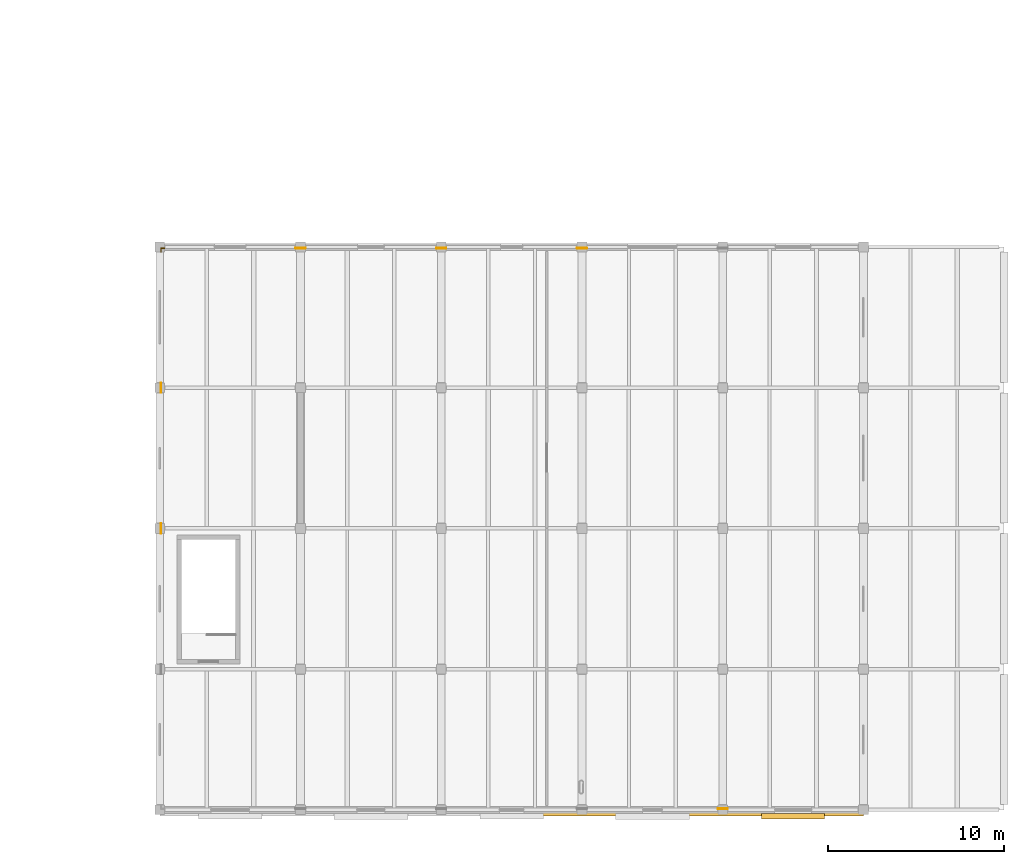
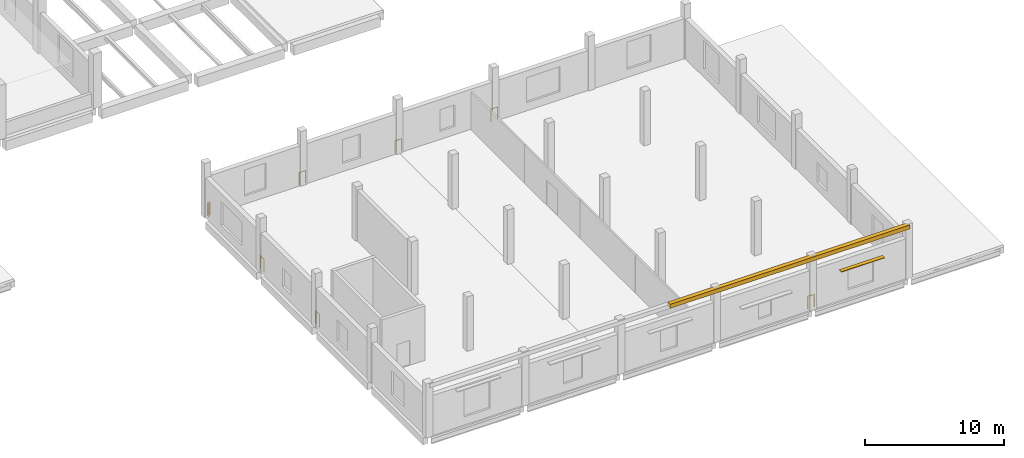
# One storey, part 50 of 52: 7 railings, 1 covering, 1 shading device.
"""IFC4 building model written with IfcOpenShell, lengths in metres."""

import ifcopenshell
import ifcopenshell.guid

model = None  # the IFC model being written
_history = None  # IfcOwnerHistory: only IFC2X3 demands one
_inside = {}  # id of a spatial element -> (the spatial element, [elements in it])
_under = {}  # id of a project, library or spatial element -> (it, [spatial elements below it])
_declared = {}  # id of a project -> (the project, [libraries it declares])
_typed = {}  # id of a type object -> (the type object, [elements of that type])
_made_of = {}  # id of a material, layer set ... -> (it, [elements and type objects made of it])


def new_model(schema):
    """Start an empty IFC model of exactly this schema.

    Asked for "IFC4X3", IfcOpenShell would pick the latest addendum, in which some entities
    have other attributes; the version numbers below select the first issue.
    IFC2X3 requires an IfcOwnerHistory on every rooted entity: one is made here for all.
    """
    global model, _history
    if schema == "IFC4X3":
        model = ifcopenshell.file(schema_version=(4, 3, 0, 0))
    else:
        model = ifcopenshell.file(schema=schema)
    _inside.clear()
    _under.clear()
    _declared.clear()
    _typed.clear()
    _made_of.clear()
    _history = None
    if model.schema == "IFC2X3":
        org = make("IfcOrganization", Name="unknown")
        user = make(
            "IfcPersonAndOrganization",
            ThePerson=make("IfcPerson", FamilyName="unknown"),
            TheOrganization=org,
        )
        app = make(
            "IfcApplication",
            ApplicationDeveloper=org,
            Version="unknown",
            ApplicationFullName="unknown",
            ApplicationIdentifier="unknown",
        )
        _history = make(
            "IfcOwnerHistory",
            OwningUser=user,
            OwningApplication=app,
            ChangeAction="ADDED",
            CreationDate=0,
        )
    return model


def make(cls, **values):
    """One entity of the class cls with the attributes given. An attribute that is None is left unset."""
    return model.create_entity(
        cls, **{name: value for name, value in values.items() if value is not None}
    )


def rooted(cls, **values):
    """An entity with a GlobalId (a new one), such as an element, a storey or a relation."""
    return make(cls, GlobalId=ifcopenshell.guid.new(), OwnerHistory=_history, **values)


def si_unit(unit_type, name, prefix=None):
    """IfcSIUnit, for example si_unit("LENGTHUNIT", "METRE", prefix="MILLI")."""
    return make("IfcSIUnit", UnitType=unit_type, Prefix=prefix, Name=name)


def assignment(units):
    """IfcUnitAssignment: the units of a project."""
    return None if units is None else make("IfcUnitAssignment", Units=units)


def point(xyz):
    """IfcCartesianPoint."""
    return None if xyz is None else make("IfcCartesianPoint", Coordinates=xyz)


def direction(xyz):
    """IfcDirection."""
    return None if xyz is None else make("IfcDirection", DirectionRatios=xyz)


def frame(location, z_axis=None, x_axis=None):
    """IfcAxis2Placement3D, a coordinate frame: its origin and axes. An axis left out is left unset."""
    return make(
        "IfcAxis2Placement3D",
        Location=point(location),
        Axis=direction(z_axis),
        RefDirection=direction(x_axis),
    )


def frame_2d(location, x_axis=None):
    """IfcAxis2Placement2D, a coordinate frame in the plane: its origin and x axis."""
    return make(
        "IfcAxis2Placement2D", Location=point(location), RefDirection=direction(x_axis)
    )


def origin():
    """The frame at (0, 0, 0) with its axes left unset."""
    return frame((0.0, 0.0, 0.0))


def origin_2d():
    """The frame at (0, 0) in the plane with its x axis left unset."""
    return frame_2d((0.0, 0.0))


def place(relative_to, where):
    """IfcLocalPlacement: puts the frame where relative to a parent placement (None: the world)."""
    return make(
        "IfcLocalPlacement", PlacementRelTo=relative_to, RelativePlacement=where
    )


def context(
    kind, dimensions, precision=None, world=None, true_north=None, identifier=None
):
    """IfcGeometricRepresentationContext, for example the 3D "Model" context."""
    return make(
        "IfcGeometricRepresentationContext",
        ContextIdentifier=identifier,
        ContextType=kind,
        CoordinateSpaceDimension=dimensions,
        Precision=precision,
        WorldCoordinateSystem=world,
        TrueNorth=true_north,
    )


def subcontext(parent, identifier, kind, view, scale=None):
    """IfcGeometricRepresentationSubContext, for example "Body" below "Model"."""
    return make(
        "IfcGeometricRepresentationSubContext",
        ContextIdentifier=identifier,
        ContextType=kind,
        ParentContext=parent,
        TargetScale=scale,
        TargetView=view,
    )


def project(units=None, contexts=None):
    """IfcProject with its units and contexts."""
    return rooted(
        "IfcProject",
        Name="project",
        RepresentationContexts=contexts,
        UnitsInContext=assignment(units),
    )


def spatial(cls, under=None, at=None, **own):
    """A site, building, storey or space (cls), placed at a placement, below another one or the project."""
    s = rooted(cls, ObjectPlacement=at, **own)
    if under is not None:
        _under.setdefault(under.id(), (under, []))[1].append(s)
    return s


def polyline(points):
    """IfcPolyline through the points."""
    return make("IfcPolyline", Points=[point(p) for p in points])


def profile(cls, at=None, kind="AREA", **sizes):
    """A parametric profile (cls). Its sizes go by their IFC names, for example OverallWidth=200.0."""
    return make(cls, ProfileType=kind, Position=at, **sizes)


def rectangle(**sizes):
    """IfcRectangleProfileDef."""
    return profile("IfcRectangleProfileDef", **sizes)


def circle(**sizes):
    """IfcCircleProfileDef."""
    return profile("IfcCircleProfileDef", **sizes)


def outline(outer, holes=None, kind="AREA"):
    """IfcArbitraryClosedProfileDef: a profile drawn as a closed curve; with holes, ...WithVoids."""
    if holes is None:
        return make("IfcArbitraryClosedProfileDef", ProfileType=kind, OuterCurve=outer)
    return make(
        "IfcArbitraryProfileDefWithVoids",
        ProfileType=kind,
        OuterCurve=outer,
        InnerCurves=holes,
    )


def extrude(swept, where, along, depth):
    """IfcExtrudedAreaSolid: the profile swept, set in the frame where, extruded along a direction by depth."""
    return make(
        "IfcExtrudedAreaSolid",
        SweptArea=swept,
        Position=where,
        ExtrudedDirection=direction(along),
        Depth=depth,
    )


def shape(context_of_items, identifier, shape_type, items):
    """IfcShapeRepresentation: the items that make up one representation, for example the "Body"."""
    return make(
        "IfcShapeRepresentation",
        ContextOfItems=context_of_items,
        RepresentationIdentifier=identifier,
        RepresentationType=shape_type,
        Items=items,
    )


def material(Name=None, Category=None):
    """IfcMaterial."""
    return make("IfcMaterial", Name=Name, Category=Category)


def layer(
    of_material, thickness, ventilated=None, Name=None, Category=None, Priority=None
):
    """IfcMaterialLayer: one layer of a wall or slab, of a material (None: an air gap)."""
    return make(
        "IfcMaterialLayer",
        Material=of_material,
        LayerThickness=thickness,
        IsVentilated=ventilated,
        Name=Name,
        Category=Category,
        Priority=Priority,
    )


def layer_set(layers, Name=None):
    """IfcMaterialLayerSet."""
    return make("IfcMaterialLayerSet", MaterialLayers=layers, LayerSetName=Name)


def made_of(thing, what):
    """Note that an element or type object is made of a material, layer set ...; save() writes the relation."""
    if what is not None:
        _made_of.setdefault(what.id(), (what, []))[1].append(thing)
    return thing


def type_object(cls, material=None, **own):
    """A type object (cls), such as IfcWallType, which elements share."""
    return made_of(rooted(cls, **own), material)


def element(
    cls,
    number,
    at=None,
    inside=None,
    cuts=None,
    type_object=None,
    material=None,
    context=None,
    identifier="Body",
    shape_type=None,
    held_by="IfcProductDefinitionShape",
    body=None,
    shapes=None,
    **own,
):
    """One element of the class cls, such as IfcWall. Its Tag is "e" and its number.

    at: its placement. inside: the storey or other place that contains it. cuts: it is an
    opening in that element (IfcRelVoidsElement). A single representation is given by context,
    identifier, shape_type and body (its items); several are given by shapes. held_by: the class
    of the entity that holds the representations. save() writes the other relations.
    """
    e = rooted(cls, Tag="e%d" % number, ObjectPlacement=at, **own)
    if body is not None:
        shapes = [shape(context, identifier, shape_type, body)]
    if shapes is not None:
        e.Representation = make(held_by, Representations=shapes)
    if inside is not None:
        _inside.setdefault(inside.id(), (inside, []))[1].append(e)
    if cuts is not None:
        rooted(
            "IfcRelVoidsElement", RelatingBuildingElement=cuts, RelatedOpeningElement=e
        )
    if type_object is not None:
        _typed.setdefault(type_object.id(), (type_object, []))[1].append(e)
    return made_of(e, material)


def aggregate(whole, parts):
    """IfcRelAggregates: a whole, such as a stair, and the parts it consists of."""
    return rooted("IfcRelAggregates", RelatingObject=whole, RelatedObjects=parts)


def save(model, path):
    """Write the relations noted so far, then the file.

    IfcRelAggregates (storeys below a building ...), IfcRelContainedInSpatialStructure (elements
    in a storey), IfcRelDefinesByType, IfcRelAssociatesMaterial and IfcRelDeclares: one each for
    every whole, place, type object, material and project.
    """
    for whole, parts in _under.values():
        aggregate(whole, parts)
    for where, things in _inside.values():
        rooted(
            "IfcRelContainedInSpatialStructure",
            RelatedElements=things,
            RelatingStructure=where,
        )
    for kind, things in _typed.values():
        rooted("IfcRelDefinesByType", RelatedObjects=things, RelatingType=kind)
    for what, things in _made_of.values():
        rooted("IfcRelAssociatesMaterial", RelatedObjects=things, RelatingMaterial=what)
    for by, libraries in _declared.values():
        rooted("IfcRelDeclares", RelatingContext=by, RelatedDefinitions=libraries)
    model.write(path)


model = new_model("IFC4")

# Units and contexts
model_context = context("Model", 3, precision=1e-05, world=origin(), true_north=direction((0.0, 1.0)))
body_context = subcontext(model_context, "Body", "Model", "MODEL_VIEW")
ifc_project = project(units=[si_unit("LENGTHUNIT", "METRE"), si_unit("AREAUNIT", "SQUARE_METRE"), si_unit("VOLUMEUNIT", "CUBIC_METRE"), si_unit("PLANEANGLEUNIT", "RADIAN"), si_unit("MASSUNIT", "GRAM", prefix="KILO")], contexts=[model_context])

# Site, building, storey
site_placement = place(None, origin())
site = spatial("IfcSite", under=ifc_project, at=site_placement, CompositionType="ELEMENT")
building_placement = place(site_placement, origin())
building = spatial("IfcBuilding", under=site, at=building_placement, Name="Pecanmere Concourse Central Library", CompositionType="ELEMENT")
storey_placement = place(building_placement, frame((0.0, 0.0, 10.5)))
storey = spatial("IfcBuildingStorey", under=building, at=storey_placement, Name="L03", CompositionType="ELEMENT", Elevation=10.5)

# Covering
ifc_material_1 = material(Name="Texas cream limestone ashlar masonry", Category="masonry")
ifc_layer = layer(ifc_material_1, 0.06005859375, Name="COV_CLAD_CORNICE")
ifc_layer_set = layer_set([ifc_layer], Name="Texas cream limestone ashlar masonry")
covering_type = type_object("IfcCoveringType", Name="COV_CLAD_CORNICE", PredefinedType="CLADDING", material=ifc_layer_set)
covering_placement = place(storey_placement, frame((0.0, 0.0, 4.39990234375)))
element("IfcCovering", 1, at=covering_placement, inside=storey, type_object=covering_type, Name="Classical Entablature Cornice 04", PredefinedType="CLADDING", context=body_context, shape_type="SweptSolid", body=[
    extrude(outline(polyline([(148.0, -0.35009765625), (168.0, -0.35009765625), (168.0, 0.0), (148.0, 0.0), (148.0, -0.35009765625)])), origin(), (0.0, 0.0, 1.0), 0.35009765625),
])

# Railings
ifc_material_2 = material(Name="Architectural anodized bronze")
railing_type = type_object("IfcRailingType", Name="RAIL_ATRIUM_BAL", PredefinedType="BALUSTRADE", material=ifc_material_2)
for number, where, name in (
    (2, (128.070068359375, 15.72998046875, 0.0), "Deck Edge Protective Balustrade L03-102"),
    (3, (128.070068359375, 23.72998046875, 0.0), "Deck Edge Protective Balustrade L03-103"),
):
    element("IfcRailing", number, at=place(storey_placement, frame(where)), inside=storey, type_object=railing_type, Name=name, PredefinedType="BALUSTRADE", context=body_context, shape_type="SweptSolid", body=[
        extrude(circle(Radius=0.02392578125, at=origin_2d()), frame((0.0, 0.0, 1.09619140625), z_axis=(0.0, 1.0, 0.0), x_axis=(-1.0, 0.0, 0.0)), (0.0, 0.0, 1.0), 0.5400390625),
        extrude(circle(Radius=0.02099609375, at=origin_2d()), origin(), (0.0, 0.0, 1.0), 1.072021484375),
        extrude(circle(Radius=0.02099609375, at=origin_2d()), frame((0.0, 0.5400390625, 0.0)), (0.0, 0.0, 1.0), 1.072021484375),
    ])
railing_1_placement = place(storey_placement, frame((128.070068359375, 31.72998046875, 0.0)))
element("IfcRailing", 4, at=railing_1_placement, inside=storey, type_object=railing_type, Name="Deck Edge Protective Balustrade L03-104", PredefinedType="BALUSTRADE", context=body_context, shape_type="SweptSolid", body=[
    extrude(circle(Radius=0.02392578125, at=origin_2d()), frame((0.0, 0.0, 1.09619140625), z_axis=(0.0, 1.0, 0.0), x_axis=(-1.0, 0.0, 0.0)), (0.0, 0.0, 1.0), 0.19970703125),
    extrude(circle(Radius=0.02392578125, at=origin_2d()), frame((0.0, 0.19970703125, 1.09619140625), z_axis=(1.0, 0.0, 0.0), x_axis=(0.0, 1.0, 0.0)), (0.0, 0.0, 1.0), 0.199951171875),
    extrude(circle(Radius=0.02099609375, at=origin_2d()), origin(), (0.0, 0.0, 1.0), 1.072021484375),
    extrude(circle(Radius=0.02099609375, at=origin_2d()), frame((0.0, 0.19970703125, 0.0)), (0.0, 0.0, 1.0), 1.072021484375),
    extrude(circle(Radius=0.02099609375, at=origin_2d()), frame((0.199951171875, 0.19970703125, 0.0)), (0.0, 0.0, 1.0), 1.072021484375),
])
for number, where, name in (
    (5, (135.72998046875, 31.9296875, 0.0), "Deck Edge Protective Balustrade L03-105"),
    (6, (143.72998046875, 31.929931640625, 0.0), "Deck Edge Protective Balustrade L03-106"),
    (7, (151.72998046875, 31.929931640625, 0.0), "Deck Edge Protective Balustrade L03-107"),
):
    element("IfcRailing", number, at=place(storey_placement, frame(where)), inside=storey, type_object=railing_type, Name=name, PredefinedType="BALUSTRADE", context=body_context, shape_type="SweptSolid", body=[
        extrude(circle(Radius=0.02392578125, at=origin_2d()), frame((0.0, 0.0, 1.09619140625), z_axis=(1.0, 0.0, 0.0), x_axis=(0.0, 1.0, 0.0)), (0.0, 0.0, 1.0), 0.5400390625),
        extrude(circle(Radius=0.02099609375, at=origin_2d()), origin(), (0.0, 0.0, 1.0), 1.072021484375),
        extrude(circle(Radius=0.02099609375, at=origin_2d()), frame((0.5400390625, 0.0, 0.0)), (0.0, 0.0, 1.0), 1.072021484375),
    ])
railing_2_placement = place(storey_placement, frame((160.27001953125, 0.0703125, 0.0)))
element("IfcRailing", 8, at=railing_2_placement, inside=storey, type_object=railing_type, Name="Deck Edge Protective Balustrade L03-109", PredefinedType="BALUSTRADE", context=body_context, shape_type="SweptSolid", body=[
    extrude(circle(Radius=0.02392578125, at=origin_2d()), frame((0.0, 0.0, 1.09619140625), z_axis=(-1.0, 0.0, 0.0), x_axis=(0.0, -1.0, 0.0)), (0.0, 0.0, 1.0), 0.5400390625),
    extrude(circle(Radius=0.02099609375, at=origin_2d()), origin(), (0.0, 0.0, 1.0), 1.072021484375),
    extrude(circle(Radius=0.02099609375, at=origin_2d()), frame((-0.5400390625, 0.0, 0.0)), (0.0, 0.0, 1.0), 1.072021484375),
])

# Shading device
ifc_material_3 = material(Name="Architectural anodized bronze")
shading_device_type = type_object("IfcShadingDeviceType", Name="SHD_BRISE_2", PredefinedType="AWNING", material=ifc_material_3)
shading_device_placement = place(storey_placement, frame((164.0, -0.35498046875, 2.70263671875), z_axis=(0.0, 0.0, 1.0), x_axis=(1.0, 0.0, 0.0)))
element("IfcShadingDevice", 9, at=shading_device_placement, inside=storey, type_object=shading_device_type, Name="Bronze Solar Brise-Soleil L03-041", PredefinedType="AWNING", context=body_context, shape_type="SweptSolid", body=[
    extrude(rectangle(XDim=3.60009765625, YDim=0.320068359375, at=origin_2d()), origin(), (0.0, 0.0, 1.0), 0.054931640625),
])

save(model, "model.ifc")
